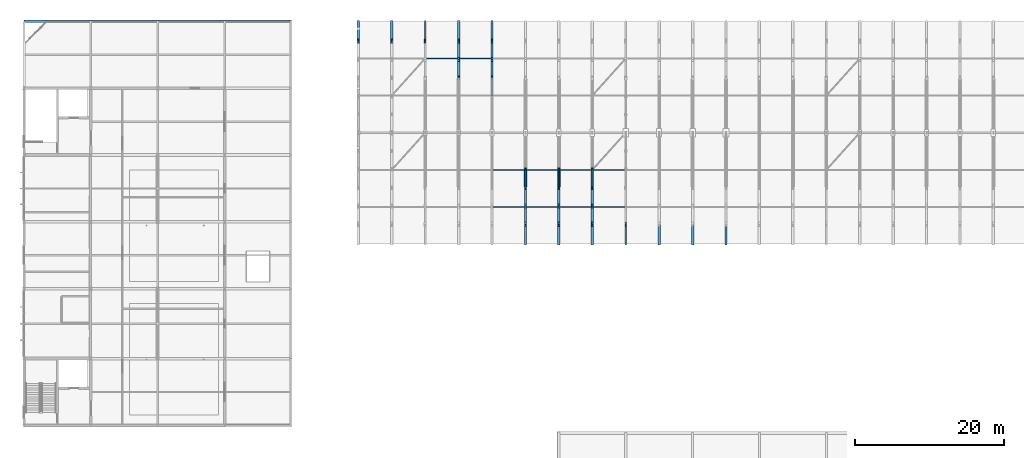
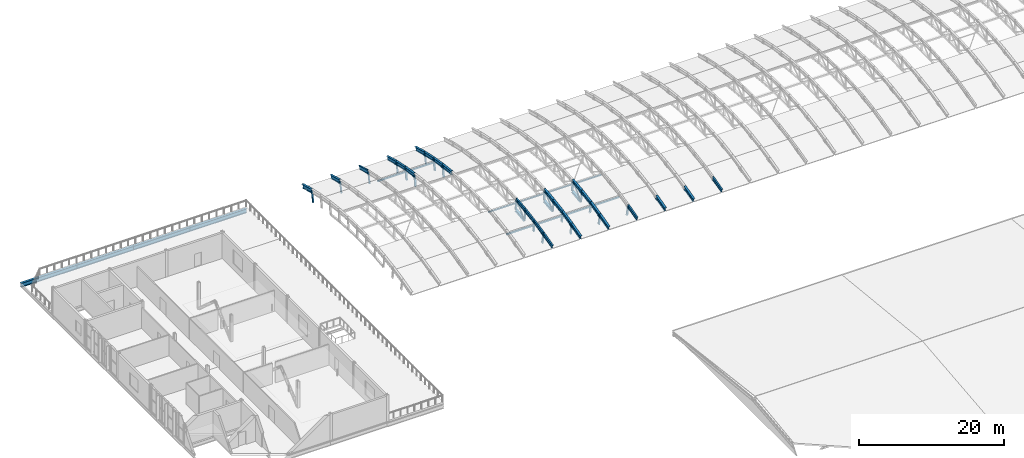
# One storey, part 11 of 53: 38 members, 30 beams.
"""IFC4 building model written with IfcOpenShell, lengths in metres."""

from ifc_helpers import new_model, si_unit, direction, frame, origin, origin_2d, place, context, subcontext, project, spatial, hollow_rectangle, hollow_circle, i_section, extrude, material, material_profile, profile_set, type_object, element, save


model = new_model("IFC4")

# Units and contexts
model_context = context("Model", 3, precision=1e-05, world=origin(), true_north=direction((0.0, 1.0)))
body_context = subcontext(model_context, "Body", "Model", "MODEL_VIEW")
ifc_project = project(units=[si_unit("LENGTHUNIT", "METRE"), si_unit("AREAUNIT", "SQUARE_METRE"), si_unit("VOLUMEUNIT", "CUBIC_METRE"), si_unit("PLANEANGLEUNIT", "RADIAN"), si_unit("MASSUNIT", "GRAM", prefix="KILO")], contexts=[model_context])

# Site, building, storey
site_placement = place(None, origin())
site = spatial("IfcSite", under=ifc_project, at=site_placement, CompositionType="ELEMENT")
building_placement = place(site_placement, origin())
building = spatial("IfcBuilding", under=site, at=building_placement, Name="Cazmaro Siding Exhibition Halls", CompositionType="ELEMENT")
storey_placement = place(building_placement, frame((0.0, 0.0, 21.0)))
storey = spatial("IfcBuildingStorey", under=building, at=storey_placement, Name="L04", CompositionType="ELEMENT", Elevation=21.0)

# Beams
ifc_material_1 = material(Name="Steel ASTM A992 Grade 50", Category="steel")
ifc_material_profile_1 = material_profile(ifc_material_1, i_section(OverallWidth=0.327880859375, OverallDepth=0.626953125, WebThickness=0.01708984375, FlangeThickness=0.028076171875, at=origin_2d()), Name="W24X146")
ifc_profile_set_1 = profile_set([ifc_material_profile_1], Name="Steel ASTM A992 Grade 50")
beam_type_1 = type_object("IfcBeamType", Name="AR-01", PredefinedType="USERDEFINED", material=ifc_profile_set_1)
beam_1_placement = place(storey_placement, frame((45.0, 106.5, 1.02001953125), z_axis=(0.0, 0.966391398669, -0.257075211911), x_axis=(-1.0, 0.0, 0.0)))
element("IfcBeam", 1, at=beam_1_placement, inside=storey, type_object=beam_type_1, Name="Space frame barrel vault arched rib AR-01 BM-0552", ObjectType="ARCHED RIB", PredefinedType="USERDEFINED", context=body_context, shape_type="SweptSolid", body=[
    extrude(i_section(OverallWidth=0.327880859375, OverallDepth=0.626953125, WebThickness=0.01708984375, FlangeThickness=0.028076171875, at=origin_2d()), origin(), (0.0, 0.0, 1.0), 2.5869140625),
])
beam_2_placement = place(storey_placement, frame((58.5, 101.5, 1.971923828125), z_axis=(0.0, 0.98649787474, -0.163774061236), x_axis=(-1.0, 0.0, 0.0)))
element("IfcBeam", 2, at=beam_2_placement, inside=storey, type_object=beam_type_1, Name="Space frame barrel vault arched rib AR-01 BM-0622", ObjectType="ARCHED RIB", PredefinedType="USERDEFINED", context=body_context, shape_type="SweptSolid", body=[
    extrude(i_section(OverallWidth=0.327880859375, OverallDepth=0.626953125, WebThickness=0.01708984375, FlangeThickness=0.028076171875, at=origin_2d()), origin(), (0.0, 0.0, 1.0), 2.5341796875),
])
beam_3_placement = place(storey_placement, frame((58.5, 104.0, 1.556884765625), z_axis=(0.0, 0.977710100146, -0.209959424826), x_axis=(-1.0, 0.0, 0.0)))
element("IfcBeam", 3, at=beam_3_placement, inside=storey, type_object=beam_type_1, Name="Space frame barrel vault arched rib AR-01 BM-0623", ObjectType="ARCHED RIB", PredefinedType="USERDEFINED", context=body_context, shape_type="SweptSolid", body=[
    extrude(i_section(OverallWidth=0.327880859375, OverallDepth=0.626953125, WebThickness=0.01708984375, FlangeThickness=0.028076171875, at=origin_2d()), origin(), (0.0, 0.0, 1.0), 2.556884765625),
])
for number, where, z_axis, x_axis, name in (
    (4, (58.5, 106.5, 1.02001953125), (0.0, 0.966391398669, -0.257075211911), (-1.0, 0.0, 0.0), "Space frame barrel vault arched rib AR-01 BM-0624"),
    (5, (72.0, 79.0, 0.35498046875), (0.0, 0.966391398669, 0.257075211911), (-1.0, 0.0, 0.0), "Space frame barrel vault arched rib AR-01 BM-0685"),
):
    element("IfcBeam", number, at=place(storey_placement, frame(where, z_axis=z_axis, x_axis=x_axis)), inside=storey, type_object=beam_type_1, Name=name, ObjectType="ARCHED RIB", PredefinedType="USERDEFINED", context=body_context, shape_type="SweptSolid", body=[
        extrude(i_section(OverallWidth=0.327880859375, OverallDepth=0.626953125, WebThickness=0.01708984375, FlangeThickness=0.028076171875, at=origin_2d()), origin(), (0.0, 0.0, 1.0), 2.5869140625),
    ])
beam_4_placement = place(storey_placement, frame((72.0, 81.5, 1.02001953125), z_axis=(0.0, 0.977710100146, 0.209959424826), x_axis=(-1.0, 0.0, 0.0)))
element("IfcBeam", 6, at=beam_4_placement, inside=storey, type_object=beam_type_1, Name="Space frame barrel vault arched rib AR-01 BM-0686", ObjectType="ARCHED RIB", PredefinedType="USERDEFINED", context=body_context, shape_type="SweptSolid", body=[
    extrude(i_section(OverallWidth=0.327880859375, OverallDepth=0.626953125, WebThickness=0.01708984375, FlangeThickness=0.028076171875, at=origin_2d()), origin(), (0.0, 0.0, 1.0), 2.556884765625),
])
beam_5_placement = place(storey_placement, frame((72.0, 84.0, 1.556884765625), z_axis=(0.0, 0.98649787474, 0.163774061236), x_axis=(-1.0, 0.0, 0.0)))
element("IfcBeam", 7, at=beam_5_placement, inside=storey, type_object=beam_type_1, Name="Space frame barrel vault arched rib AR-01 BM-0687", ObjectType="ARCHED RIB", PredefinedType="USERDEFINED", context=body_context, shape_type="SweptSolid", body=[
    extrude(i_section(OverallWidth=0.327880859375, OverallDepth=0.626953125, WebThickness=0.01708984375, FlangeThickness=0.028076171875, at=origin_2d()), origin(), (0.0, 0.0, 1.0), 2.5341796875),
])
beam_6_placement = place(storey_placement, frame((72.0, 86.5, 1.971923828125), z_axis=(0.0, 0.993147293786, 0.116869383693), x_axis=(-1.0, 0.0, 0.0)))
element("IfcBeam", 8, at=beam_6_placement, inside=storey, type_object=beam_type_1, Name="Space frame barrel vault arched rib AR-01 BM-0688", ObjectType="ARCHED RIB", PredefinedType="USERDEFINED", context=body_context, shape_type="SweptSolid", body=[
    extrude(i_section(OverallWidth=0.327880859375, OverallDepth=0.626953125, WebThickness=0.01708984375, FlangeThickness=0.028076171875, at=origin_2d()), origin(), (0.0, 0.0, 1.0), 2.517333984375),
])
beam_7_placement = place(storey_placement, frame((85.5, 79.0, 0.35498046875), z_axis=(0.0, 0.966391398669, 0.257075211911), x_axis=(-1.0, 0.0, 0.0)))
element("IfcBeam", 9, at=beam_7_placement, inside=storey, type_object=beam_type_1, Name="Space frame barrel vault arched rib AR-01 BM-0757", ObjectType="ARCHED RIB", PredefinedType="USERDEFINED", context=body_context, shape_type="SweptSolid", body=[
    extrude(i_section(OverallWidth=0.327880859375, OverallDepth=0.626953125, WebThickness=0.01708984375, FlangeThickness=0.028076171875, at=origin_2d()), origin(), (0.0, 0.0, 1.0), 2.5869140625),
])
ifc_material_2 = material(Name="Steel ASTM A992 Grade 50", Category="steel")
ifc_material_profile_2 = material_profile(ifc_material_2, i_section(OverallWidth=0.324951171875, OverallDepth=0.612060546875, WebThickness=0.012939453125, FlangeThickness=0.01904296875, at=origin_2d()), Name="W24X104")
ifc_profile_set_2 = profile_set([ifc_material_profile_2], Name="Steel ASTM A992 Grade 50")
beam_type_2 = type_object("IfcBeamType", Name="AR-02", PredefinedType="USERDEFINED", material=ifc_profile_set_2)
beam_8_placement = place(storey_placement, frame((49.5, 106.5, 1.02001953125), z_axis=(0.0, 0.966391398669, -0.257075211911), x_axis=(-1.0, 0.0, 0.0)))
element("IfcBeam", 10, at=beam_8_placement, inside=storey, type_object=beam_type_2, Name="Space frame barrel vault arched rib AR-02 BM-0576", ObjectType="ARCHED RIB", PredefinedType="USERDEFINED", context=body_context, shape_type="SweptSolid", body=[
    extrude(i_section(OverallWidth=0.324951171875, OverallDepth=0.612060546875, WebThickness=0.012939453125, FlangeThickness=0.01904296875, at=origin_2d()), origin(), (0.0, 0.0, 1.0), 2.5869140625),
])
beam_9_placement = place(storey_placement, frame((63.0, 99.0, 2.26611328125), z_axis=(0.0, 0.993147293786, -0.116869383693), x_axis=(-1.0, 0.0, 0.0)))
element("IfcBeam", 11, at=beam_9_placement, inside=storey, type_object=beam_type_2, Name="Space frame barrel vault arched rib AR-02 BM-0645", ObjectType="ARCHED RIB", PredefinedType="USERDEFINED", context=body_context, shape_type="SweptSolid", body=[
    extrude(i_section(OverallWidth=0.324951171875, OverallDepth=0.612060546875, WebThickness=0.012939453125, FlangeThickness=0.01904296875, at=origin_2d()), origin(), (0.0, 0.0, 1.0), 2.517333984375),
])
beam_10_placement = place(storey_placement, frame((63.0, 101.5, 1.971923828125), z_axis=(0.0, 0.98649787474, -0.163774061236), x_axis=(-1.0, 0.0, 0.0)))
element("IfcBeam", 12, at=beam_10_placement, inside=storey, type_object=beam_type_2, Name="Space frame barrel vault arched rib AR-02 BM-0646", ObjectType="ARCHED RIB", PredefinedType="USERDEFINED", context=body_context, shape_type="SweptSolid", body=[
    extrude(i_section(OverallWidth=0.324951171875, OverallDepth=0.612060546875, WebThickness=0.012939453125, FlangeThickness=0.01904296875, at=origin_2d()), origin(), (0.0, 0.0, 1.0), 2.5341796875),
])
beam_11_placement = place(storey_placement, frame((63.0, 104.0, 1.556884765625), z_axis=(0.0, 0.977710100146, -0.209959424826), x_axis=(-1.0, 0.0, 0.0)))
element("IfcBeam", 13, at=beam_11_placement, inside=storey, type_object=beam_type_2, Name="Space frame barrel vault arched rib AR-02 BM-0647", ObjectType="ARCHED RIB", PredefinedType="USERDEFINED", context=body_context, shape_type="SweptSolid", body=[
    extrude(i_section(OverallWidth=0.324951171875, OverallDepth=0.612060546875, WebThickness=0.012939453125, FlangeThickness=0.01904296875, at=origin_2d()), origin(), (0.0, 0.0, 1.0), 2.556884765625),
])
for number, where, z_axis, x_axis, name in (
    (14, (63.0, 106.5, 1.02001953125), (0.0, 0.966391398669, -0.257075211911), (-1.0, 0.0, 0.0), "Space frame barrel vault arched rib AR-02 BM-0648"),
    (15, (76.5, 79.0, 0.35498046875), (0.0, 0.966391398669, 0.257075211911), (-1.0, 0.0, 0.0), "Space frame barrel vault arched rib AR-02 BM-0709"),
):
    element("IfcBeam", number, at=place(storey_placement, frame(where, z_axis=z_axis, x_axis=x_axis)), inside=storey, type_object=beam_type_2, Name=name, ObjectType="ARCHED RIB", PredefinedType="USERDEFINED", context=body_context, shape_type="SweptSolid", body=[
        extrude(i_section(OverallWidth=0.324951171875, OverallDepth=0.612060546875, WebThickness=0.012939453125, FlangeThickness=0.01904296875, at=origin_2d()), origin(), (0.0, 0.0, 1.0), 2.5869140625),
    ])
beam_12_placement = place(storey_placement, frame((76.5, 81.5, 1.02001953125), z_axis=(0.0, 0.977710100146, 0.209959424826), x_axis=(-1.0, 0.0, 0.0)))
element("IfcBeam", 16, at=beam_12_placement, inside=storey, type_object=beam_type_2, Name="Space frame barrel vault arched rib AR-02 BM-0710", ObjectType="ARCHED RIB", PredefinedType="USERDEFINED", context=body_context, shape_type="SweptSolid", body=[
    extrude(i_section(OverallWidth=0.324951171875, OverallDepth=0.612060546875, WebThickness=0.012939453125, FlangeThickness=0.01904296875, at=origin_2d()), origin(), (0.0, 0.0, 1.0), 2.556884765625),
])
beam_13_placement = place(storey_placement, frame((76.5, 84.0, 1.556884765625), z_axis=(0.0, 0.98649787474, 0.163774061236), x_axis=(-1.0, 0.0, 0.0)))
element("IfcBeam", 17, at=beam_13_placement, inside=storey, type_object=beam_type_2, Name="Space frame barrel vault arched rib AR-02 BM-0711", ObjectType="ARCHED RIB", PredefinedType="USERDEFINED", context=body_context, shape_type="SweptSolid", body=[
    extrude(i_section(OverallWidth=0.324951171875, OverallDepth=0.612060546875, WebThickness=0.012939453125, FlangeThickness=0.01904296875, at=origin_2d()), origin(), (0.0, 0.0, 1.0), 2.5341796875),
])
beam_14_placement = place(storey_placement, frame((76.5, 86.5, 1.971923828125), z_axis=(0.0, 0.993147293786, 0.116869383693), x_axis=(-1.0, 0.0, 0.0)))
element("IfcBeam", 18, at=beam_14_placement, inside=storey, type_object=beam_type_2, Name="Space frame barrel vault arched rib AR-02 BM-0712", ObjectType="ARCHED RIB", PredefinedType="USERDEFINED", context=body_context, shape_type="SweptSolid", body=[
    extrude(i_section(OverallWidth=0.324951171875, OverallDepth=0.612060546875, WebThickness=0.012939453125, FlangeThickness=0.01904296875, at=origin_2d()), origin(), (0.0, 0.0, 1.0), 2.517333984375),
])
beam_15_placement = place(storey_placement, frame((90.0, 79.0, 0.35498046875), z_axis=(0.0, 0.966391398669, 0.257075211911), x_axis=(-1.0, 0.0, 0.0)))
element("IfcBeam", 19, at=beam_15_placement, inside=storey, type_object=beam_type_2, Name="Space frame barrel vault arched rib AR-02 BM-0781", ObjectType="ARCHED RIB", PredefinedType="USERDEFINED", context=body_context, shape_type="SweptSolid", body=[
    extrude(i_section(OverallWidth=0.324951171875, OverallDepth=0.612060546875, WebThickness=0.012939453125, FlangeThickness=0.01904296875, at=origin_2d()), origin(), (0.0, 0.0, 1.0), 2.5869140625),
])
ifc_material_3 = material(Name="Steel ASTM A992 Grade 50", Category="steel")
ifc_material_profile_3 = material_profile(ifc_material_3, i_section(OverallWidth=0.22900390625, OverallDepth=0.612060546875, WebThickness=0.011962890625, FlangeThickness=0.02001953125, at=origin_2d()), Name="W24X84")
ifc_profile_set_3 = profile_set([ifc_material_profile_3], Name="Steel ASTM A992 Grade 50")
beam_type_3 = type_object("IfcBeamType", Name="AR-03", PredefinedType="USERDEFINED", material=ifc_profile_set_3)
for number, where, z_axis, x_axis, name in (
    (20, (54.0, 106.5, 1.02001953125), (0.0, 0.966391398669, -0.257075211911), (-1.0, 0.0, 0.0), "Space frame barrel vault arched rib AR-03 BM-0600"),
    (21, (67.5, 79.0, 0.35498046875), (0.0, 0.966391398669, 0.257075211911), (-1.0, 0.0, 0.0), "Space frame barrel vault arched rib AR-03 BM-0661"),
):
    element("IfcBeam", number, at=place(storey_placement, frame(where, z_axis=z_axis, x_axis=x_axis)), inside=storey, type_object=beam_type_3, Name=name, ObjectType="ARCHED RIB", PredefinedType="USERDEFINED", context=body_context, shape_type="SweptSolid", body=[
        extrude(i_section(OverallWidth=0.22900390625, OverallDepth=0.612060546875, WebThickness=0.011962890625, FlangeThickness=0.02001953125, at=origin_2d()), origin(), (0.0, 0.0, 1.0), 2.5869140625),
    ])
beam_16_placement = place(storey_placement, frame((67.5, 81.5, 1.02001953125), z_axis=(0.0, 0.977710100146, 0.209959424826), x_axis=(-1.0, 0.0, 0.0)))
element("IfcBeam", 22, at=beam_16_placement, inside=storey, type_object=beam_type_3, Name="Space frame barrel vault arched rib AR-03 BM-0662", ObjectType="ARCHED RIB", PredefinedType="USERDEFINED", context=body_context, shape_type="SweptSolid", body=[
    extrude(i_section(OverallWidth=0.22900390625, OverallDepth=0.612060546875, WebThickness=0.011962890625, FlangeThickness=0.02001953125, at=origin_2d()), origin(), (0.0, 0.0, 1.0), 2.556884765625),
])
beam_17_placement = place(storey_placement, frame((67.5, 84.0, 1.556884765625), z_axis=(0.0, 0.98649787474, 0.163774061236), x_axis=(-1.0, 0.0, 0.0)))
element("IfcBeam", 23, at=beam_17_placement, inside=storey, type_object=beam_type_3, Name="Space frame barrel vault arched rib AR-03 BM-0663", ObjectType="ARCHED RIB", PredefinedType="USERDEFINED", context=body_context, shape_type="SweptSolid", body=[
    extrude(i_section(OverallWidth=0.22900390625, OverallDepth=0.612060546875, WebThickness=0.011962890625, FlangeThickness=0.02001953125, at=origin_2d()), origin(), (0.0, 0.0, 1.0), 2.5341796875),
])
beam_18_placement = place(storey_placement, frame((67.5, 86.5, 1.971923828125), z_axis=(0.0, 0.993147293786, 0.116869383693), x_axis=(-1.0, 0.0, 0.0)))
element("IfcBeam", 24, at=beam_18_placement, inside=storey, type_object=beam_type_3, Name="Space frame barrel vault arched rib AR-03 BM-0664", ObjectType="ARCHED RIB", PredefinedType="USERDEFINED", context=body_context, shape_type="SweptSolid", body=[
    extrude(i_section(OverallWidth=0.22900390625, OverallDepth=0.612060546875, WebThickness=0.011962890625, FlangeThickness=0.02001953125, at=origin_2d()), origin(), (0.0, 0.0, 1.0), 2.517333984375),
])
for number, where, z_axis, x_axis, name in (
    (25, (81.0, 79.0, 0.35498046875), (0.0, 0.966391398669, 0.257075211911), (-1.0, 0.0, 0.0), "Space frame barrel vault arched rib AR-03 BM-0733"),
    (26, (94.5, 79.0, 0.35498046875), (0.0, 0.966391398669, 0.257075211911), (-1.0, 0.0, 0.0), "Space frame barrel vault arched rib AR-03 BM-0805"),
):
    element("IfcBeam", number, at=place(storey_placement, frame(where, z_axis=z_axis, x_axis=x_axis)), inside=storey, type_object=beam_type_3, Name=name, ObjectType="ARCHED RIB", PredefinedType="USERDEFINED", context=body_context, shape_type="SweptSolid", body=[
        extrude(i_section(OverallWidth=0.22900390625, OverallDepth=0.612060546875, WebThickness=0.011962890625, FlangeThickness=0.02001953125, at=origin_2d()), origin(), (0.0, 0.0, 1.0), 2.5869140625),
    ])
ifc_material_4 = material(Name="Steel ASTM A992 Grade 50", Category="steel")
ifc_material_profile_4 = material_profile(ifc_material_4, i_section(OverallWidth=0.35595703125, OverallDepth=0.696044921875, WebThickness=0.014892578125, FlangeThickness=0.02490234375, at=origin_2d()), Name="W27X146")
ifc_profile_set_4 = profile_set([ifc_material_profile_4], Name="Steel ASTM A992 Grade 50")
beam_type_4 = type_object("IfcBeamType", Name="G-05", PredefinedType="USERDEFINED", material=ifc_profile_set_4)
for number, where, z_axis, x_axis, name in (
    (27, (0.0, 109.0, -0.617919921875), (1.0, 0.0, 0.0), (0.0, 1.0, 0.0), "Beam G-05 BM-2284"),
    (28, (9.0, 109.0, -0.617919921875), (1.0, 0.0, 0.0), (0.0, 1.0, 0.0), "Beam G-05 BM-2295"),
    (29, (18.0, 109.0, -0.617919921875), (1.0, 0.0, 0.0), (0.0, 1.0, 0.0), "Beam G-05 BM-2308"),
    (30, (27.0, 109.0, -0.617919921875), (1.0, 0.0, 0.0), (0.0, 1.0, 0.0), "Beam G-05 BM-2321"),
):
    element("IfcBeam", number, at=place(storey_placement, frame(where, z_axis=z_axis, x_axis=x_axis)), inside=storey, type_object=beam_type_4, Name=name, ObjectType="GIRDER", PredefinedType="USERDEFINED", context=body_context, shape_type="SweptSolid", body=[
        extrude(i_section(OverallWidth=0.35595703125, OverallDepth=0.696044921875, WebThickness=0.014892578125, FlangeThickness=0.02490234375, at=origin_2d()), origin(), (0.0, 0.0, 1.0), 9.0),
    ])

# Members
ifc_material_5 = material(Name="Steel ASTM A500 Grade C", Category="steel")
ifc_material_profile_5 = material_profile(ifc_material_5, hollow_rectangle(XDim=0.152099609375, YDim=0.202880859375, WallThickness=0.011962890625, at=origin_2d()), Name="HSS8X6X1/2")
ifc_profile_set_5 = profile_set([ifc_material_profile_5], Name="Steel ASTM A500 Grade C")
member_type_1 = type_object("IfcMemberType", Name="RP-01", PredefinedType="PURLIN", material=ifc_profile_set_5)
for number, where, z_axis, x_axis, name in (
    (31, (63.0, 89.0, 1.72607421875), (1.0, 0.0, 0.0), (0.0, 1.0, 0.0), "Space frame barrel vault purlin RP-01 MEM-2018"),
    (32, (67.5, 89.0, 1.72607421875), (1.0, 0.0, 0.0), (0.0, 1.0, 0.0), "Space frame barrel vault purlin RP-01 MEM-2029"),
    (33, (72.0, 89.0, 1.72607421875), (1.0, 0.0, 0.0), (0.0, 1.0, 0.0), "Space frame barrel vault purlin RP-01 MEM-2040"),
    (34, (76.5, 89.0, 1.72607421875), (1.0, 0.0, 0.0), (0.0, 1.0, 0.0), "Space frame barrel vault purlin RP-01 MEM-2051"),
):
    element("IfcMember", number, at=place(storey_placement, frame(where, z_axis=z_axis, x_axis=x_axis)), inside=storey, type_object=member_type_1, Name=name, PredefinedType="PURLIN", context=body_context, shape_type="SweptSolid", body=[
        extrude(hollow_rectangle(XDim=0.152099609375, YDim=0.202880859375, WallThickness=0.011962890625, at=origin_2d()), origin(), (0.0, 0.0, 1.0), 4.5),
    ])
ifc_material_6 = material(Name="Steel ASTM A500 Grade C", Category="steel")
ifc_material_profile_6 = material_profile(ifc_material_6, hollow_rectangle(XDim=0.152099609375, YDim=0.25390625, WallThickness=0.011962890625, at=origin_2d()), Name="HSS10X6X1/2")
ifc_profile_set_6 = profile_set([ifc_material_profile_6], Name="Steel ASTM A500 Grade C")
member_type_2 = type_object("IfcMemberType", Name="RP-04", PredefinedType="PURLIN", material=ifc_profile_set_6)
for number, where, z_axis, x_axis, name in (
    (35, (54.0, 104.0, 1.01708984375), (1.0, 0.0, 0.0), (0.0, 1.0, 0.0), "Space frame barrel vault purlin RP-04 MEM-1999"),
    (36, (58.5, 104.0, 1.01708984375), (1.0, 0.0, 0.0), (0.0, 1.0, 0.0), "Space frame barrel vault purlin RP-04 MEM-2010"),
    (37, (63.0, 84.0, 1.01708984375), (1.0, 0.0, 0.0), (0.0, 1.0, 0.0), "Space frame barrel vault purlin RP-04 MEM-2017"),
    (38, (67.5, 84.0, 1.01708984375), (1.0, 0.0, 0.0), (0.0, 1.0, 0.0), "Space frame barrel vault purlin RP-04 MEM-2028"),
    (39, (72.0, 84.0, 1.01708984375), (1.0, 0.0, 0.0), (0.0, 1.0, 0.0), "Space frame barrel vault purlin RP-04 MEM-2039"),
    (40, (76.5, 84.0, 1.01708984375), (1.0, 0.0, 0.0), (0.0, 1.0, 0.0), "Space frame barrel vault purlin RP-04 MEM-2050"),
):
    element("IfcMember", number, at=place(storey_placement, frame(where, z_axis=z_axis, x_axis=x_axis)), inside=storey, type_object=member_type_2, Name=name, PredefinedType="PURLIN", context=body_context, shape_type="SweptSolid", body=[
        extrude(hollow_rectangle(XDim=0.152099609375, YDim=0.25390625, WallThickness=0.011962890625, at=origin_2d()), origin(), (0.0, 0.0, 1.0), 4.5),
    ])
ifc_material_7 = material(Name="Steel ASTM A992 Grade 50", Category="steel")
ifc_material_profile_7 = material_profile(ifc_material_7, i_section(OverallWidth=0.37109375, OverallDepth=0.364013671875, WebThickness=0.012939453125, FlangeThickness=0.02197265625, at=origin_2d()), Name="W14X109")
ifc_profile_set_7 = profile_set([ifc_material_profile_7], Name="Steel ASTM A992 Grade 50")
member_type_3 = type_object("IfcMemberType", Name="TC-06", PredefinedType="CHORD", material=ifc_profile_set_7)
for number, where, z_axis, x_axis, name in (
    (41, (67.5, 86.7099609375, 0.18701171875), (0.0, 0.993149923187, 0.116847037079), (-1.0, 0.0, 0.0), "Space frame barrel vault bottom chord TC-06 MEM-0326"),
    (42, (72.0, 86.7099609375, 0.18701171875), (0.0, 0.993149923187, 0.116847037079), (-1.0, 0.0, 0.0), "Space frame barrel vault bottom chord TC-06 MEM-0397"),
    (43, (76.5, 86.7099609375, 0.18701171875), (0.0, 0.993149923187, 0.116847037079), (-1.0, 0.0, 0.0), "Space frame barrel vault bottom chord TC-06 MEM-0468"),
):
    element("IfcMember", number, at=place(storey_placement, frame(where, z_axis=z_axis, x_axis=x_axis)), inside=storey, type_object=member_type_3, Name=name, PredefinedType="CHORD", context=body_context, shape_type="SweptSolid", body=[
        extrude(i_section(OverallWidth=0.37109375, OverallDepth=0.364013671875, WebThickness=0.012939453125, FlangeThickness=0.02197265625, at=origin_2d()), origin(), (0.0, 0.0, 1.0), 2.44677734375),
    ])
ifc_material_8 = material(Name="Steel ASTM A500 Grade C", Category="steel")
ifc_material_profile_8 = material_profile(ifc_material_8, hollow_rectangle(XDim=0.202880859375, YDim=0.202880859375, WallThickness=0.011962890625, at=origin_2d()), Name="HSS8X8X1/2")
ifc_profile_set_8 = profile_set([ifc_material_profile_8], Name="Steel ASTM A500 Grade C")
member_type_4 = type_object("IfcMemberType", Name="TP-01", PredefinedType="POST", material=ifc_profile_set_8)
for number, where, z_axis, x_axis, name in (
    (44, (45.0, 106.14990234375, -0.739013671875), (0.0, 0.195199839578, 0.980763489649), (-1.0, 0.0, 0.0), "Space frame barrel vault post TP-01 MEM-0041"),
    (45, (49.5, 106.14990234375, -0.739013671875), (0.0, 0.195199839578, 0.980763489649), (-1.0, 0.0, 0.0), "Space frame barrel vault post TP-01 MEM-0088"),
    (46, (54.0, 106.14990234375, -0.739013671875), (0.0, 0.195199839578, 0.980763489649), (-1.0, 0.0, 0.0), "Space frame barrel vault post TP-01 MEM-0159"),
    (47, (58.5, 106.14990234375, -0.739013671875), (0.0, 0.195199839578, 0.980763489649), (-1.0, 0.0, 0.0), "Space frame barrel vault post TP-01 MEM-0230"),
    (48, (63.0, 106.14990234375, -0.739013671875), (0.0, 0.195199839578, 0.980763489649), (-1.0, 0.0, 0.0), "Space frame barrel vault post TP-01 MEM-0301"),
):
    element("IfcMember", number, at=place(storey_placement, frame(where, z_axis=z_axis, x_axis=x_axis)), inside=storey, type_object=member_type_4, Name=name, PredefinedType="POST", context=body_context, shape_type="SweptSolid", body=[
        extrude(hollow_rectangle(XDim=0.202880859375, YDim=0.202880859375, WallThickness=0.011962890625, at=origin_2d()), origin(), (0.0, 0.0, 1.0), 1.79345703125),
    ])
for number, where, z_axis, x_axis, name in (
    (49, (67.5, 86.7099609375, 0.18701171875), (0.0, -0.116825484133, 0.993152458718), (1.0, 0.0, 0.0), "Space frame barrel vault post TP-01 MEM-0364"),
    (50, (72.0, 86.7099609375, 0.18701171875), (0.0, -0.116825484133, 0.993152458718), (1.0, 0.0, 0.0), "Space frame barrel vault post TP-01 MEM-0435"),
    (51, (76.5, 86.7099609375, 0.18701171875), (0.0, -0.116825484133, 0.993152458718), (1.0, 0.0, 0.0), "Space frame barrel vault post TP-01 MEM-0506"),
):
    element("IfcMember", number, at=place(storey_placement, frame(where, z_axis=z_axis, x_axis=x_axis)), inside=storey, type_object=member_type_4, Name=name, PredefinedType="POST", context=body_context, shape_type="SweptSolid", body=[
        extrude(hollow_rectangle(XDim=0.202880859375, YDim=0.202880859375, WallThickness=0.011962890625, at=origin_2d()), origin(), (0.0, 0.0, 1.0), 1.797119140625),
    ])
ifc_material_9 = material(Name="Steel ASTM A992 Grade 50", Category="steel")
ifc_material_profile_9 = material_profile(ifc_material_9, i_section(OverallWidth=0.25390625, OverallDepth=0.25390625, WebThickness=0.009033203125, FlangeThickness=0.013916015625, at=origin_2d()), Name="W10X49")
ifc_profile_set_9 = profile_set([ifc_material_profile_9], Name="Steel ASTM A992 Grade 50")
member_type_5 = type_object("IfcMemberType", Name="TP-04", PredefinedType="POST", material=ifc_profile_set_9)
member_1_placement = place(storey_placement, frame((58.5, 101.2900390625, 0.18701171875), z_axis=(0.0, 0.116825484133, 0.993152458718), x_axis=(-1.0, 0.0, 0.0)))
element("IfcMember", 52, at=member_1_placement, inside=storey, type_object=member_type_5, Name="Space frame barrel vault post TP-04 MEM-0228", PredefinedType="POST", context=body_context, shape_type="SweptSolid", body=[
    extrude(i_section(OverallWidth=0.25390625, OverallDepth=0.25390625, WebThickness=0.009033203125, FlangeThickness=0.013916015625, at=origin_2d()), origin(), (0.0, 0.0, 1.0), 1.797119140625),
])
member_2_placement = place(storey_placement, frame((58.5, 103.719970703125, -0.217041015625), z_axis=(0.0, 0.155927668857, 0.987768475952), x_axis=(-1.0, 0.0, 0.0)))
element("IfcMember", 53, at=member_2_placement, inside=storey, type_object=member_type_5, Name="Space frame barrel vault post TP-04 MEM-0229", PredefinedType="POST", context=body_context, shape_type="SweptSolid", body=[
    extrude(i_section(OverallWidth=0.25390625, OverallDepth=0.25390625, WebThickness=0.009033203125, FlangeThickness=0.013916015625, at=origin_2d()), origin(), (0.0, 0.0, 1.0), 1.7958984375),
])
member_3_placement = place(storey_placement, frame((63.0, 101.2900390625, 0.18701171875), z_axis=(0.0, 0.116825484133, 0.993152458718), x_axis=(-1.0, 0.0, 0.0)))
element("IfcMember", 54, at=member_3_placement, inside=storey, type_object=member_type_5, Name="Space frame barrel vault post TP-04 MEM-0299", PredefinedType="POST", context=body_context, shape_type="SweptSolid", body=[
    extrude(i_section(OverallWidth=0.25390625, OverallDepth=0.25390625, WebThickness=0.009033203125, FlangeThickness=0.013916015625, at=origin_2d()), origin(), (0.0, 0.0, 1.0), 1.797119140625),
])
member_4_placement = place(storey_placement, frame((63.0, 103.719970703125, -0.217041015625), z_axis=(0.0, 0.155927668857, 0.987768475952), x_axis=(-1.0, 0.0, 0.0)))
element("IfcMember", 55, at=member_4_placement, inside=storey, type_object=member_type_5, Name="Space frame barrel vault post TP-04 MEM-0300", PredefinedType="POST", context=body_context, shape_type="SweptSolid", body=[
    extrude(i_section(OverallWidth=0.25390625, OverallDepth=0.25390625, WebThickness=0.009033203125, FlangeThickness=0.013916015625, at=origin_2d()), origin(), (0.0, 0.0, 1.0), 1.7958984375),
])
member_5_placement = place(storey_placement, frame((67.5, 81.85009765625, -0.739013671875), z_axis=(0.0, -0.195199839578, 0.980763489649), x_axis=(1.0, 0.0, 0.0)))
element("IfcMember", 56, at=member_5_placement, inside=storey, type_object=member_type_5, Name="Space frame barrel vault post TP-04 MEM-0362", PredefinedType="POST", context=body_context, shape_type="SweptSolid", body=[
    extrude(i_section(OverallWidth=0.25390625, OverallDepth=0.25390625, WebThickness=0.009033203125, FlangeThickness=0.013916015625, at=origin_2d()), origin(), (0.0, 0.0, 1.0), 1.79345703125),
])
member_6_placement = place(storey_placement, frame((67.5, 84.280029296875, -0.217041015625), z_axis=(0.0, -0.155927668857, 0.987768475952), x_axis=(1.0, 0.0, 0.0)))
element("IfcMember", 57, at=member_6_placement, inside=storey, type_object=member_type_5, Name="Space frame barrel vault post TP-04 MEM-0363", PredefinedType="POST", context=body_context, shape_type="SweptSolid", body=[
    extrude(i_section(OverallWidth=0.25390625, OverallDepth=0.25390625, WebThickness=0.009033203125, FlangeThickness=0.013916015625, at=origin_2d()), origin(), (0.0, 0.0, 1.0), 1.7958984375),
])
member_7_placement = place(storey_placement, frame((67.5, 89.139892578125, 0.472900390625), z_axis=(0.0, -0.077775943468, 0.996970863475), x_axis=(1.0, 0.0, 0.0)))
element("IfcMember", 58, at=member_7_placement, inside=storey, type_object=member_type_5, Name="Space frame barrel vault post TP-04 MEM-0365", PredefinedType="POST", context=body_context, shape_type="SweptSolid", body=[
    extrude(i_section(OverallWidth=0.25390625, OverallDepth=0.25390625, WebThickness=0.009033203125, FlangeThickness=0.013916015625, at=origin_2d()), origin(), (0.0, 0.0, 1.0), 1.798583984375),
])
member_8_placement = place(storey_placement, frame((72.0, 81.85009765625, -0.739013671875), z_axis=(0.0, -0.195199839578, 0.980763489649), x_axis=(1.0, 0.0, 0.0)))
element("IfcMember", 59, at=member_8_placement, inside=storey, type_object=member_type_5, Name="Space frame barrel vault post TP-04 MEM-0433", PredefinedType="POST", context=body_context, shape_type="SweptSolid", body=[
    extrude(i_section(OverallWidth=0.25390625, OverallDepth=0.25390625, WebThickness=0.009033203125, FlangeThickness=0.013916015625, at=origin_2d()), origin(), (0.0, 0.0, 1.0), 1.79345703125),
])
member_9_placement = place(storey_placement, frame((72.0, 84.280029296875, -0.217041015625), z_axis=(0.0, -0.155927668857, 0.987768475952), x_axis=(1.0, 0.0, 0.0)))
element("IfcMember", 60, at=member_9_placement, inside=storey, type_object=member_type_5, Name="Space frame barrel vault post TP-04 MEM-0434", PredefinedType="POST", context=body_context, shape_type="SweptSolid", body=[
    extrude(i_section(OverallWidth=0.25390625, OverallDepth=0.25390625, WebThickness=0.009033203125, FlangeThickness=0.013916015625, at=origin_2d()), origin(), (0.0, 0.0, 1.0), 1.7958984375),
])
member_10_placement = place(storey_placement, frame((72.0, 89.139892578125, 0.472900390625), z_axis=(0.0, -0.077775943468, 0.996970863475), x_axis=(1.0, 0.0, 0.0)))
element("IfcMember", 61, at=member_10_placement, inside=storey, type_object=member_type_5, Name="Space frame barrel vault post TP-04 MEM-0436", PredefinedType="POST", context=body_context, shape_type="SweptSolid", body=[
    extrude(i_section(OverallWidth=0.25390625, OverallDepth=0.25390625, WebThickness=0.009033203125, FlangeThickness=0.013916015625, at=origin_2d()), origin(), (0.0, 0.0, 1.0), 1.798583984375),
])
member_11_placement = place(storey_placement, frame((76.5, 81.85009765625, -0.739013671875), z_axis=(0.0, -0.195199839578, 0.980763489649), x_axis=(1.0, 0.0, 0.0)))
element("IfcMember", 62, at=member_11_placement, inside=storey, type_object=member_type_5, Name="Space frame barrel vault post TP-04 MEM-0504", PredefinedType="POST", context=body_context, shape_type="SweptSolid", body=[
    extrude(i_section(OverallWidth=0.25390625, OverallDepth=0.25390625, WebThickness=0.009033203125, FlangeThickness=0.013916015625, at=origin_2d()), origin(), (0.0, 0.0, 1.0), 1.79345703125),
])
member_12_placement = place(storey_placement, frame((76.5, 84.280029296875, -0.217041015625), z_axis=(0.0, -0.155927668857, 0.987768475952), x_axis=(1.0, 0.0, 0.0)))
element("IfcMember", 63, at=member_12_placement, inside=storey, type_object=member_type_5, Name="Space frame barrel vault post TP-04 MEM-0505", PredefinedType="POST", context=body_context, shape_type="SweptSolid", body=[
    extrude(i_section(OverallWidth=0.25390625, OverallDepth=0.25390625, WebThickness=0.009033203125, FlangeThickness=0.013916015625, at=origin_2d()), origin(), (0.0, 0.0, 1.0), 1.7958984375),
])
member_13_placement = place(storey_placement, frame((76.5, 89.139892578125, 0.472900390625), z_axis=(0.0, -0.077775943468, 0.996970863475), x_axis=(1.0, 0.0, 0.0)))
element("IfcMember", 64, at=member_13_placement, inside=storey, type_object=member_type_5, Name="Space frame barrel vault post TP-04 MEM-0507", PredefinedType="POST", context=body_context, shape_type="SweptSolid", body=[
    extrude(i_section(OverallWidth=0.25390625, OverallDepth=0.25390625, WebThickness=0.009033203125, FlangeThickness=0.013916015625, at=origin_2d()), origin(), (0.0, 0.0, 1.0), 1.798583984375),
])
member_14_placement = place(storey_placement, frame((81.0, 81.85009765625, -0.739013671875), z_axis=(0.0, -0.195199839578, 0.980763489649), x_axis=(1.0, 0.0, 0.0)))
element("IfcMember", 65, at=member_14_placement, inside=storey, type_object=member_type_5, Name="Space frame barrel vault post TP-04 MEM-0575", PredefinedType="POST", context=body_context, shape_type="SweptSolid", body=[
    extrude(i_section(OverallWidth=0.25390625, OverallDepth=0.25390625, WebThickness=0.009033203125, FlangeThickness=0.013916015625, at=origin_2d()), origin(), (0.0, 0.0, 1.0), 1.79345703125),
])
ifc_material_10 = material(Name="Steel ASTM A500 Grade C", Category="steel")
ifc_material_profile_10 = material_profile(ifc_material_10, hollow_circle(Radius=0.109619140625, WallThickness=0.012939453125, at=origin_2d()), Name="PIPE8XS")
ifc_profile_set_10 = profile_set([ifc_material_profile_10], Name="Steel ASTM A500 Grade C")
member_type_6 = type_object("IfcMemberType", Name="WB-01", PredefinedType="BRACE", material=ifc_profile_set_10)
for number, where, z_axis, x_axis, name in (
    (66, (67.5, 86.7099609375, 0.18701171875), (0.0, 0.740382789782, 0.672185483772), (-1.0, 0.0, 0.0), "Space frame barrel vault diagonal WB-01 MEM-0327"),
    (67, (72.0, 86.7099609375, 0.18701171875), (0.0, 0.740382789782, 0.672185483772), (-1.0, 0.0, 0.0), "Space frame barrel vault diagonal WB-01 MEM-0398"),
    (68, (76.5, 86.7099609375, 0.18701171875), (0.0, 0.740382789782, 0.672185483772), (-1.0, 0.0, 0.0), "Space frame barrel vault diagonal WB-01 MEM-0469"),
):
    element("IfcMember", number, at=place(storey_placement, frame(where, z_axis=z_axis, x_axis=x_axis)), inside=storey, type_object=member_type_6, Name=name, PredefinedType="BRACE", context=body_context, shape_type="SweptSolid", body=[
        extrude(hollow_circle(Radius=0.109619140625, WallThickness=0.012939453125, at=origin_2d()), origin(), (0.0, 0.0, 1.0), 3.093017578125),
    ])

save(model, "model.ifc")
